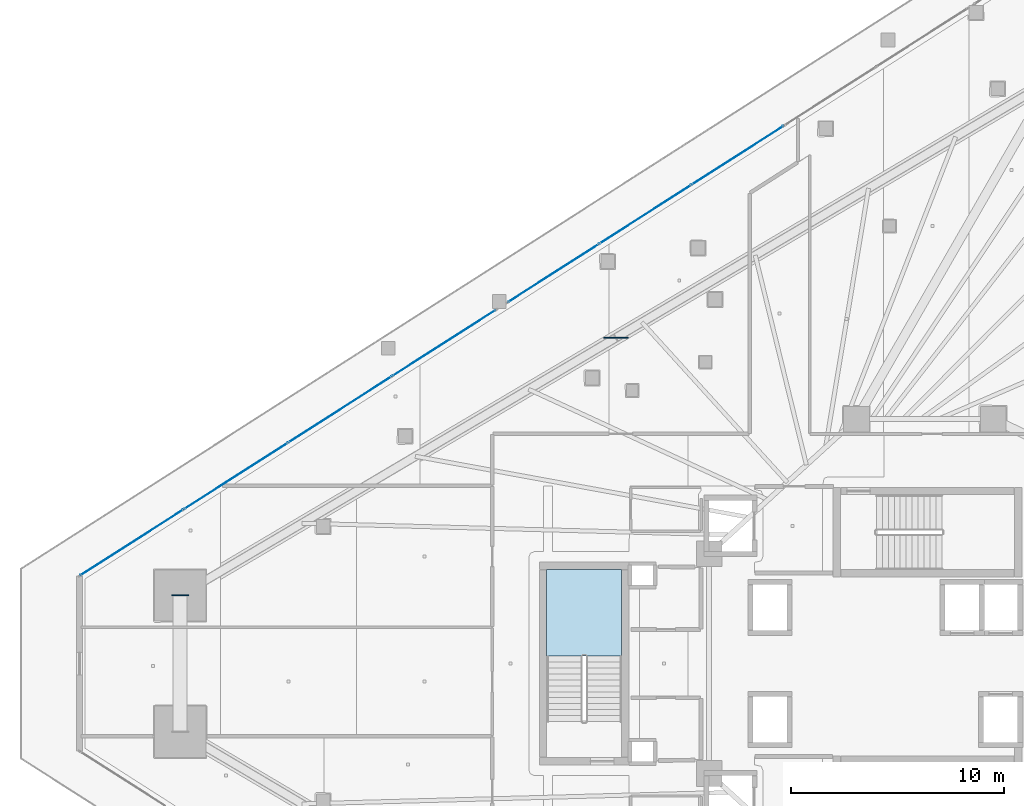
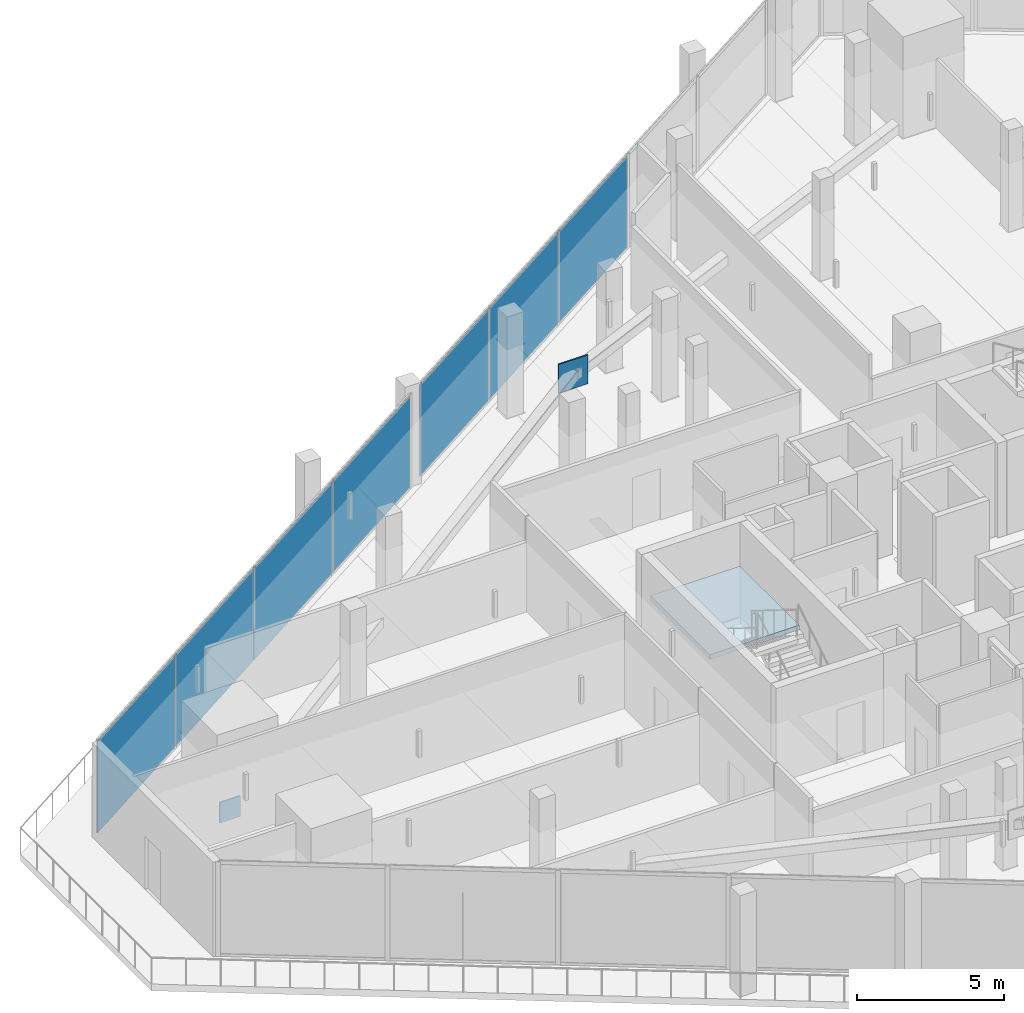
# One storey, part 34 of 52: 9 plates, 1 slab, 3 elements without a shape of their own.
"""IFC4 building model written with IfcOpenShell, lengths in metres."""

import ifcopenshell
import ifcopenshell.guid

model = None  # the IFC model being written
_history = None  # IfcOwnerHistory: only IFC2X3 demands one
_inside = {}  # id of a spatial element -> (the spatial element, [elements in it])
_under = {}  # id of a project, library or spatial element -> (it, [spatial elements below it])
_declared = {}  # id of a project -> (the project, [libraries it declares])
_typed = {}  # id of a type object -> (the type object, [elements of that type])
_made_of = {}  # id of a material, layer set ... -> (it, [elements and type objects made of it])


def new_model(schema):
    """Start an empty IFC model of exactly this schema.

    Asked for "IFC4X3", IfcOpenShell would pick the latest addendum, in which some entities
    have other attributes; the version numbers below select the first issue.
    IFC2X3 requires an IfcOwnerHistory on every rooted entity: one is made here for all.
    """
    global model, _history
    if schema == "IFC4X3":
        model = ifcopenshell.file(schema_version=(4, 3, 0, 0))
    else:
        model = ifcopenshell.file(schema=schema)
    _inside.clear()
    _under.clear()
    _declared.clear()
    _typed.clear()
    _made_of.clear()
    _history = None
    if model.schema == "IFC2X3":
        org = make("IfcOrganization", Name="unknown")
        user = make(
            "IfcPersonAndOrganization",
            ThePerson=make("IfcPerson", FamilyName="unknown"),
            TheOrganization=org,
        )
        app = make(
            "IfcApplication",
            ApplicationDeveloper=org,
            Version="unknown",
            ApplicationFullName="unknown",
            ApplicationIdentifier="unknown",
        )
        _history = make(
            "IfcOwnerHistory",
            OwningUser=user,
            OwningApplication=app,
            ChangeAction="ADDED",
            CreationDate=0,
        )
    return model


def make(cls, **values):
    """One entity of the class cls with the attributes given. An attribute that is None is left unset."""
    return model.create_entity(
        cls, **{name: value for name, value in values.items() if value is not None}
    )


def rooted(cls, **values):
    """An entity with a GlobalId (a new one), such as an element, a storey or a relation."""
    return make(cls, GlobalId=ifcopenshell.guid.new(), OwnerHistory=_history, **values)


def si_unit(unit_type, name, prefix=None):
    """IfcSIUnit, for example si_unit("LENGTHUNIT", "METRE", prefix="MILLI")."""
    return make("IfcSIUnit", UnitType=unit_type, Prefix=prefix, Name=name)


def assignment(units):
    """IfcUnitAssignment: the units of a project."""
    return None if units is None else make("IfcUnitAssignment", Units=units)


def point(xyz):
    """IfcCartesianPoint."""
    return None if xyz is None else make("IfcCartesianPoint", Coordinates=xyz)


def direction(xyz):
    """IfcDirection."""
    return None if xyz is None else make("IfcDirection", DirectionRatios=xyz)


def frame(location, z_axis=None, x_axis=None):
    """IfcAxis2Placement3D, a coordinate frame: its origin and axes. An axis left out is left unset."""
    return make(
        "IfcAxis2Placement3D",
        Location=point(location),
        Axis=direction(z_axis),
        RefDirection=direction(x_axis),
    )


def frame_2d(location, x_axis=None):
    """IfcAxis2Placement2D, a coordinate frame in the plane: its origin and x axis."""
    return make(
        "IfcAxis2Placement2D", Location=point(location), RefDirection=direction(x_axis)
    )


def origin():
    """The frame at (0, 0, 0) with its axes left unset."""
    return frame((0.0, 0.0, 0.0))


def origin_2d():
    """The frame at (0, 0) in the plane with its x axis left unset."""
    return frame_2d((0.0, 0.0))


def place(relative_to, where):
    """IfcLocalPlacement: puts the frame where relative to a parent placement (None: the world)."""
    return make(
        "IfcLocalPlacement", PlacementRelTo=relative_to, RelativePlacement=where
    )


def context(
    kind, dimensions, precision=None, world=None, true_north=None, identifier=None
):
    """IfcGeometricRepresentationContext, for example the 3D "Model" context."""
    return make(
        "IfcGeometricRepresentationContext",
        ContextIdentifier=identifier,
        ContextType=kind,
        CoordinateSpaceDimension=dimensions,
        Precision=precision,
        WorldCoordinateSystem=world,
        TrueNorth=true_north,
    )


def subcontext(parent, identifier, kind, view, scale=None):
    """IfcGeometricRepresentationSubContext, for example "Body" below "Model"."""
    return make(
        "IfcGeometricRepresentationSubContext",
        ContextIdentifier=identifier,
        ContextType=kind,
        ParentContext=parent,
        TargetScale=scale,
        TargetView=view,
    )


def project(units=None, contexts=None):
    """IfcProject with its units and contexts."""
    return rooted(
        "IfcProject",
        Name="project",
        RepresentationContexts=contexts,
        UnitsInContext=assignment(units),
    )


def spatial(cls, under=None, at=None, **own):
    """A site, building, storey or space (cls), placed at a placement, below another one or the project."""
    s = rooted(cls, ObjectPlacement=at, **own)
    if under is not None:
        _under.setdefault(under.id(), (under, []))[1].append(s)
    return s


def polyline(points):
    """IfcPolyline through the points."""
    return make("IfcPolyline", Points=[point(p) for p in points])


def profile(cls, at=None, kind="AREA", **sizes):
    """A parametric profile (cls). Its sizes go by their IFC names, for example OverallWidth=200.0."""
    return make(cls, ProfileType=kind, Position=at, **sizes)


def rectangle(**sizes):
    """IfcRectangleProfileDef."""
    return profile("IfcRectangleProfileDef", **sizes)


def outline(outer, holes=None, kind="AREA"):
    """IfcArbitraryClosedProfileDef: a profile drawn as a closed curve; with holes, ...WithVoids."""
    if holes is None:
        return make("IfcArbitraryClosedProfileDef", ProfileType=kind, OuterCurve=outer)
    return make(
        "IfcArbitraryProfileDefWithVoids",
        ProfileType=kind,
        OuterCurve=outer,
        InnerCurves=holes,
    )


def extrude(swept, where, along, depth):
    """IfcExtrudedAreaSolid: the profile swept, set in the frame where, extruded along a direction by depth."""
    return make(
        "IfcExtrudedAreaSolid",
        SweptArea=swept,
        Position=where,
        ExtrudedDirection=direction(along),
        Depth=depth,
    )


def shape(context_of_items, identifier, shape_type, items):
    """IfcShapeRepresentation: the items that make up one representation, for example the "Body"."""
    return make(
        "IfcShapeRepresentation",
        ContextOfItems=context_of_items,
        RepresentationIdentifier=identifier,
        RepresentationType=shape_type,
        Items=items,
    )


def material(Name=None, Category=None):
    """IfcMaterial."""
    return make("IfcMaterial", Name=Name, Category=Category)


def layer(
    of_material, thickness, ventilated=None, Name=None, Category=None, Priority=None
):
    """IfcMaterialLayer: one layer of a wall or slab, of a material (None: an air gap)."""
    return make(
        "IfcMaterialLayer",
        Material=of_material,
        LayerThickness=thickness,
        IsVentilated=ventilated,
        Name=Name,
        Category=Category,
        Priority=Priority,
    )


def layer_set(layers, Name=None):
    """IfcMaterialLayerSet."""
    return make("IfcMaterialLayerSet", MaterialLayers=layers, LayerSetName=Name)


def made_of(thing, what):
    """Note that an element or type object is made of a material, layer set ...; save() writes the relation."""
    if what is not None:
        _made_of.setdefault(what.id(), (what, []))[1].append(thing)
    return thing


def type_object(cls, material=None, **own):
    """A type object (cls), such as IfcWallType, which elements share."""
    return made_of(rooted(cls, **own), material)


def element(
    cls,
    number,
    at=None,
    inside=None,
    cuts=None,
    type_object=None,
    material=None,
    context=None,
    identifier="Body",
    shape_type=None,
    held_by="IfcProductDefinitionShape",
    body=None,
    shapes=None,
    **own,
):
    """One element of the class cls, such as IfcWall. Its Tag is "e" and its number.

    at: its placement. inside: the storey or other place that contains it. cuts: it is an
    opening in that element (IfcRelVoidsElement). A single representation is given by context,
    identifier, shape_type and body (its items); several are given by shapes. held_by: the class
    of the entity that holds the representations. save() writes the other relations.
    """
    e = rooted(cls, Tag="e%d" % number, ObjectPlacement=at, **own)
    if body is not None:
        shapes = [shape(context, identifier, shape_type, body)]
    if shapes is not None:
        e.Representation = make(held_by, Representations=shapes)
    if inside is not None:
        _inside.setdefault(inside.id(), (inside, []))[1].append(e)
    if cuts is not None:
        rooted(
            "IfcRelVoidsElement", RelatingBuildingElement=cuts, RelatedOpeningElement=e
        )
    if type_object is not None:
        _typed.setdefault(type_object.id(), (type_object, []))[1].append(e)
    return made_of(e, material)


def aggregate(whole, parts):
    """IfcRelAggregates: a whole, such as a stair, and the parts it consists of."""
    return rooted("IfcRelAggregates", RelatingObject=whole, RelatedObjects=parts)


def save(model, path):
    """Write the relations noted so far, then the file.

    IfcRelAggregates (storeys below a building ...), IfcRelContainedInSpatialStructure (elements
    in a storey), IfcRelDefinesByType, IfcRelAssociatesMaterial and IfcRelDeclares: one each for
    every whole, place, type object, material and project.
    """
    for whole, parts in _under.values():
        aggregate(whole, parts)
    for where, things in _inside.values():
        rooted(
            "IfcRelContainedInSpatialStructure",
            RelatedElements=things,
            RelatingStructure=where,
        )
    for kind, things in _typed.values():
        rooted("IfcRelDefinesByType", RelatedObjects=things, RelatingType=kind)
    for what, things in _made_of.values():
        rooted("IfcRelAssociatesMaterial", RelatedObjects=things, RelatingMaterial=what)
    for by, libraries in _declared.values():
        rooted("IfcRelDeclares", RelatingContext=by, RelatedDefinitions=libraries)
    model.write(path)


model = new_model("IFC4")

# Units and contexts
model_context = context("Model", 3, precision=1e-05, world=origin(), true_north=direction((0.0, 1.0)))
body_context = subcontext(model_context, "Body", "Model", "MODEL_VIEW")
ifc_project = project(units=[si_unit("LENGTHUNIT", "METRE"), si_unit("AREAUNIT", "SQUARE_METRE"), si_unit("VOLUMEUNIT", "CUBIC_METRE"), si_unit("PLANEANGLEUNIT", "RADIAN"), si_unit("MASSUNIT", "GRAM", prefix="KILO")], contexts=[model_context])

# Site, building, storey
site_placement = place(None, origin())
site = spatial("IfcSite", under=ifc_project, at=site_placement, CompositionType="ELEMENT")
building_placement = place(site_placement, origin())
building = spatial("IfcBuilding", under=site, at=building_placement, Name="Qorvath Tower", CompositionType="ELEMENT")
storey_placement = place(building_placement, frame((0.0, 0.0, 61.800048828125)))
storey = spatial("IfcBuildingStorey", under=building, at=storey_placement, Name="L13", CompositionType="ELEMENT", Elevation=61.800048828125)

# Curtain wall, plates
ifc_material_1 = material(Name="Anodised aluminium and triple low-E glass", Category="aluminium")
ifc_layer_1 = layer(ifc_material_1, 0.179931640625)
ifc_layer_set_1 = layer_set([ifc_layer_1], Name="CW-SYS-2")
curtain_wall_type = type_object("IfcCurtainWallType", Name="CW-SYS-2", PredefinedType="NOTDEFINED", material=ifc_layer_set_1)
curtain_wall_1_placement = place(storey_placement, origin())
curtain_wall_1 = element("IfcCurtainWall", 1, at=curtain_wall_1_placement, inside=storey, type_object=curtain_wall_type, Name="Curtain Wall CW-2 CW-T-L13-16.2", PredefinedType="NOTDEFINED")
ifc_material_2 = material(Name="Low-E triple insulated glass", Category="glass")
ifc_layer_2 = layer(ifc_material_2, 0.031982421875)
ifc_layer_set_2 = layer_set([ifc_layer_2], Name="CWP-GLZ-32")
plate_type_1 = type_object("IfcPlateType", Name="CWP-GLZ-32", PredefinedType="CURTAIN_PANEL", material=ifc_layer_set_2)
plate_1_placement = place(storey_placement, frame((-29.166259765625, 23.808837890625, 0.06494140625), z_axis=(0.0, 0.0, 1.0), x_axis=(-0.842600296435, -0.538539451152, 0.0)))
plate_1 = element("IfcPlate", 2, at=plate_1_placement, type_object=plate_type_1, Name="CW-2 panel 3.1", PredefinedType="CURTAIN_PANEL", context=body_context, shape_type="SweptSolid", body=[
    extrude(rectangle(XDim=5.06005859375, YDim=0.031982421875, at=origin_2d()), origin(), (0.0, 0.0, 1.0), 3.7900390625),
])
plate_2_placement = place(storey_placement, frame((-33.484619140625, 21.048828125, 0.06494140625), z_axis=(0.0, 0.0, 1.0), x_axis=(-0.842600296435, -0.538539451152, 0.0)))
plate_2 = element("IfcPlate", 3, at=plate_2_placement, type_object=plate_type_1, Name="CW-2 panel 4.1", PredefinedType="CURTAIN_PANEL", context=body_context, shape_type="SweptSolid", body=[
    extrude(rectangle(XDim=5.06005859375, YDim=0.031982421875, at=origin_2d()), origin(), (0.0, 0.0, 1.0), 3.7900390625),
])
plate_3_placement = place(storey_placement, frame((-37.78955078125, 18.297607421875, 0.06494140625), z_axis=(0.0, 0.0, 1.0), x_axis=(-0.842600296435, -0.538539451152, 0.0)))
plate_3 = element("IfcPlate", 4, at=plate_3_placement, type_object=plate_type_1, Name="CW-2 panel 5.1", PredefinedType="CURTAIN_PANEL", context=body_context, shape_type="SweptSolid", body=[
    extrude(rectangle(XDim=5.027587890625, YDim=0.031982421875, at=origin_2d()), origin(), (0.0, 0.0, 1.0), 3.7900390625),
])
aggregate(curtain_wall_1, [plate_1, plate_2, plate_3])

curtain_wall_2_placement = place(storey_placement, origin())
curtain_wall_2 = element("IfcCurtainWall", 5, at=curtain_wall_2_placement, inside=storey, type_object=curtain_wall_type, Name="Curtain Wall CW-2 CW-T-L13-16.3", PredefinedType="NOTDEFINED")
plate_4_placement = place(storey_placement, frame((-42.9228515625, 15.0166015625, 0.06494140625), z_axis=(0.0, 0.0, 1.0), x_axis=(-0.842606588458, -0.53852960651, 0.0)))
plate_4 = element("IfcPlate", 6, at=plate_4_placement, type_object=plate_type_1, Name="CW-2 panel 1.1", PredefinedType="CURTAIN_PANEL", context=body_context, shape_type="SweptSolid", body=[
    extrude(rectangle(XDim=5.697265625, YDim=0.031982421875, at=origin_2d()), origin(), (0.0, 0.0, 1.0), 3.7900390625),
])
plate_5_placement = place(storey_placement, frame((-47.791748046875, 11.90478515625, 0.06494140625), z_axis=(0.0, 0.0, 1.0), x_axis=(-0.842606588458, -0.53852960651, 0.0)))
plate_5 = element("IfcPlate", 7, at=plate_5_placement, type_object=plate_type_1, Name="CW-2 panel 2.1", PredefinedType="CURTAIN_PANEL", context=body_context, shape_type="SweptSolid", body=[
    extrude(rectangle(XDim=5.729736328125, YDim=0.031982421875, at=origin_2d()), origin(), (0.0, 0.0, 1.0), 3.7900390625),
])
plate_6_placement = place(storey_placement, frame((-52.67431640625, 8.7841796875, 0.06494140625), z_axis=(0.0, 0.0, 1.0), x_axis=(-0.842606588458, -0.53852960651, 0.0)))
plate_6 = element("IfcPlate", 8, at=plate_6_placement, type_object=plate_type_1, Name="CW-2 panel 3.1", PredefinedType="CURTAIN_PANEL", context=body_context, shape_type="SweptSolid", body=[
    extrude(rectangle(XDim=5.729736328125, YDim=0.031982421875, at=origin_2d()), origin(), (0.0, 0.0, 1.0), 3.7900390625),
])
plate_7_placement = place(storey_placement, frame((-57.543212890625, 5.67236328125, 0.06494140625), z_axis=(0.0, 0.0, 1.0), x_axis=(-0.842606588458, -0.53852960651, 0.0)))
plate_7 = element("IfcPlate", 9, at=plate_7_placement, type_object=plate_type_1, Name="CW-2 panel 4.1", PredefinedType="CURTAIN_PANEL", context=body_context, shape_type="SweptSolid", body=[
    extrude(rectangle(XDim=5.697265625, YDim=0.031982421875, at=origin_2d()), origin(), (0.0, 0.0, 1.0), 3.7900390625),
])
aggregate(curtain_wall_2, [plate_4, plate_5, plate_6, plate_7])

# Plates
ifc_material_3 = material(Name="Steel ASTM A572 Grade 50", Category="steel")
ifc_layer_3 = layer(ifc_material_3, 0.054931640625)
ifc_layer_set_3 = layer_set([ifc_layer_3], Name="PL-MBN1")
plate_type_2 = type_object("IfcPlateType", Name="PL-MBN1", PredefinedType="USERDEFINED", material=ifc_layer_set_3)
plate_8_placement = place(storey_placement, frame((-34.873779296875, 15.2626953125, 2.97021484375), z_axis=(0.0, 0.0, 1.0), x_axis=(1.0, 0.0, 0.0)))
element("IfcPlate", 10, at=plate_8_placement, inside=storey, type_object=plate_type_2, Name="Mega-Brace Chevron Apex Gusset L13-1", ObjectType="GUSSET", PredefinedType="USERDEFINED", context=body_context, shape_type="SweptSolid", body=[
    extrude(rectangle(XDim=1.14990234375, YDim=0.054931640625, at=origin_2d()), origin(), (0.0, 0.0, 1.0), 1.199951171875),
])
plate_9_placement = place(storey_placement, frame((-55.282958984375, 3.194580078125, -0.425048828125), z_axis=(0.0, 0.0, 1.0), x_axis=(1.0, 0.0, 0.0)))
element("IfcPlate", 11, at=plate_9_placement, inside=storey, type_object=plate_type_2, Name="Brace Strut End Gusset Plate NDBG-082", ObjectType="GUSSET", PredefinedType="USERDEFINED", context=body_context, shape_type="SweptSolid", body=[
    extrude(rectangle(XDim=0.800048828125, YDim=0.054931640625, at=origin_2d()), origin(), (0.0, 0.0, 1.0), 0.85009765625),
])

# Stair, slab
ifc_material_4 = material(Name="Concrete C50/60", Category="concrete")
stair_type = type_object("IfcStairType", Name="ST-H420", PredefinedType="HALF_TURN_STAIR", material=ifc_material_4)
stair_placement = place(storey_placement, origin())
stair = element("IfcStair", 12, at=stair_placement, inside=storey, type_object=stair_type, Name="L13 Tower Exit Stair 3", PredefinedType="HALF_TURN_STAIR")
ifc_material_5 = material(Name="Concrete C50/60", Category="concrete")
ifc_layer_4 = layer(ifc_material_5, 0.199951171875)
ifc_layer_set_4 = layer_set([ifc_layer_4], Name="SL-LND-200")
slab_type = type_object("IfcSlabType", Name="SL-LND-200", PredefinedType="LANDING", material=ifc_layer_set_4)
slab_placement = place(storey_placement, frame((0.0, 0.0, 1.89990234375)))
slab = element("IfcSlab", 13, at=slab_placement, type_object=slab_type, Name="TS3 landing 1", PredefinedType="LANDING", context=body_context, shape_type="SweptSolid", body=[
    extrude(outline(polyline([(-34.60009765625, 0.360107421875), (-34.60009765625, 4.39990234375), (-38.110107421875, 4.39990234375), (-38.110107421875, 0.360107421875), (-34.60009765625, 0.360107421875)])), origin(), (0.0, 0.0, 1.0), 0.199951171875),
])
aggregate(stair, [slab])

save(model, "model.ifc")
